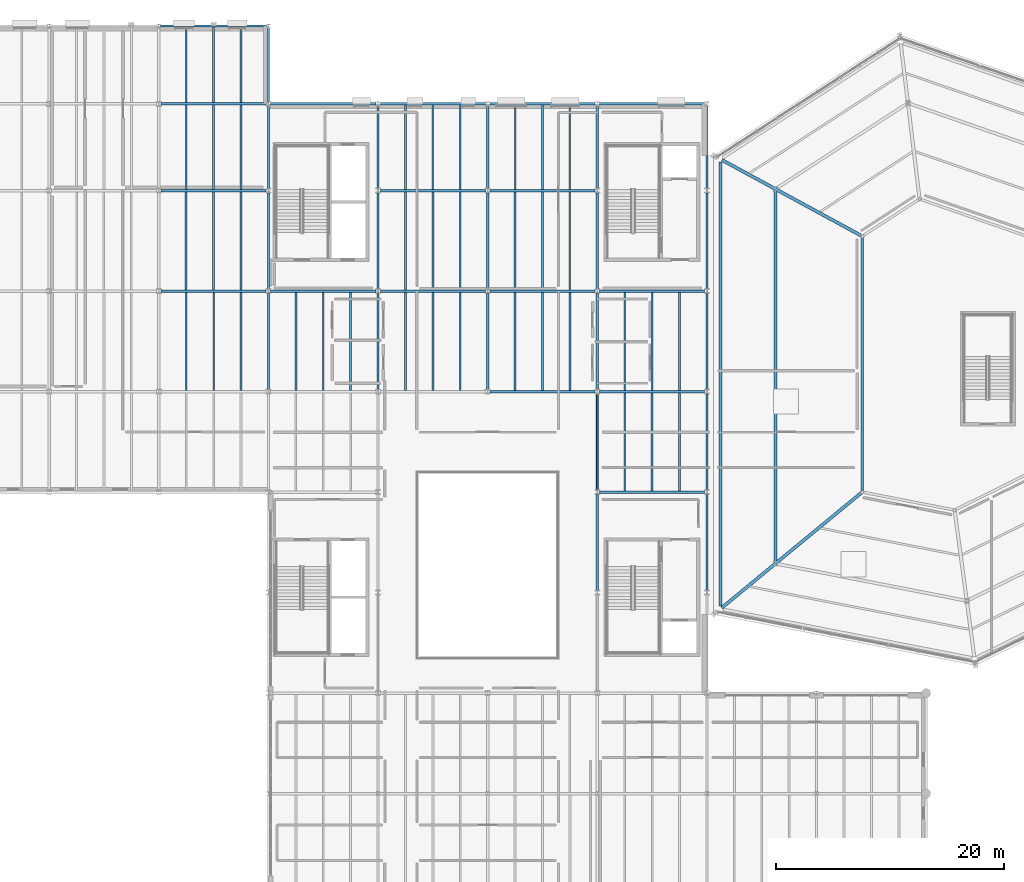
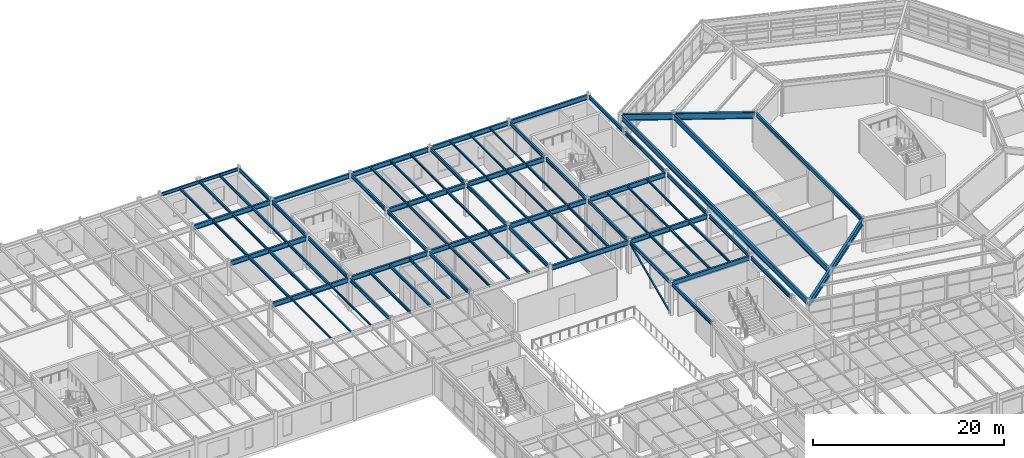
# One storey, part 41 of 88: 81 beams, 1 member.
"""IFC4 building model written with IfcOpenShell, lengths in metres."""

from ifc_helpers import new_model, si_unit, direction, frame, origin, origin_2d, place, context, subcontext, project, spatial, hollow_rectangle, i_section, extrude, material, material_profile, profile_set, type_object, element, save


model = new_model("IFC4")

# Units and contexts
model_context = context("Model", 3, precision=1e-05, world=origin(), true_north=direction((0.0, 1.0)))
body_context = subcontext(model_context, "Body", "Model", "MODEL_VIEW")
ifc_project = project(units=[si_unit("LENGTHUNIT", "METRE"), si_unit("AREAUNIT", "SQUARE_METRE"), si_unit("VOLUMEUNIT", "CUBIC_METRE"), si_unit("PLANEANGLEUNIT", "RADIAN"), si_unit("MASSUNIT", "GRAM", prefix="KILO")], contexts=[model_context])

# Site, building, storey
site_placement = place(None, origin())
site = spatial("IfcSite", under=ifc_project, at=site_placement, CompositionType="ELEMENT")
building_placement = place(site_placement, origin())
building = spatial("IfcBuilding", under=site, at=building_placement, Name="Sarnbrook Museum", CompositionType="ELEMENT")
storey_placement = place(building_placement, frame((0.0, 0.0, 10.10009765625)))
storey = spatial("IfcBuildingStorey", under=building, at=storey_placement, Name="L02", CompositionType="ELEMENT", Elevation=10.10009765625)

# Beams
ifc_material_1 = material(Name="Structural Steel Grade 300PLUS (AS/NZS 3679.1, fy = 280 MPa for 17 < t <= 40 mm, 300 MPa for t <= 17 mm)", Category="steel")
ifc_material_profile_1 = material_profile(ifc_material_1, i_section(OverallWidth=0.18994140625, OverallDepth=0.45703125, WebThickness=0.009033203125, FlangeThickness=0.014404296875, FilletRadius=0.011474609375, at=origin_2d()), Name="460UB74.6")
ifc_profile_set_1 = profile_set([ifc_material_profile_1], Name="Structural Steel Grade 300PLUS (AS/NZS 3679.1, fy = 280 MPa for 17 < t <= 40 mm, 300 MPa for t <= 17 mm)")
beam_type_1 = type_object("IfcBeamType", Name="BM-UB460", PredefinedType="BEAM", material=ifc_profile_set_1)
for number, where, z_axis, x_axis, name in (
    (1, (80.800048828125, 83.39111328125, 3.9814453125), (0.0, 1.0, 0.0), (-1.0, 0.0, 0.0), "Girder 9:K-L L02"),
    (2, (80.800048828125, 92.19091796875, 3.9814453125), (0.0, 1.0, 0.0), (-1.0, 0.0, 0.0), "Girder 9:L-M L02"),
):
    element("IfcBeam", number, at=place(storey_placement, frame(where, z_axis=z_axis, x_axis=x_axis)), inside=storey, type_object=beam_type_1, Name=name, PredefinedType="BEAM", context=body_context, shape_type="SweptSolid", body=[
        extrude(i_section(OverallWidth=0.18994140625, OverallDepth=0.45703125, WebThickness=0.009033203125, FlangeThickness=0.014404296875, FilletRadius=0.011474609375, at=origin_2d()), origin(), (0.0, 0.0, 1.0), 8.41796875),
    ])
beam_1_placement = place(storey_placement, frame((80.800048828125, 100.990966796875, 3.9814453125), z_axis=(0.0, 1.0, 0.0), x_axis=(-1.0, 0.0, 0.0)))
element("IfcBeam", 3, at=beam_1_placement, inside=storey, type_object=beam_type_1, Name="Girder 9:M-N L02", PredefinedType="BEAM", context=body_context, shape_type="SweptSolid", body=[
    extrude(i_section(OverallWidth=0.18994140625, OverallDepth=0.45703125, WebThickness=0.009033203125, FlangeThickness=0.014404296875, FilletRadius=0.011474609375, at=origin_2d()), origin(), (0.0, 0.0, 1.0), 7.218017578125),
])
beam_2_placement = place(storey_placement, frame((80.800048828125, 108.591064453125, 3.9814453125), z_axis=(0.0, 1.0, 0.0), x_axis=(-1.0, 0.0, 0.0)))
element("IfcBeam", 4, at=beam_2_placement, inside=storey, type_object=beam_type_1, Name="Girder 9:N-P L02", PredefinedType="BEAM", context=body_context, shape_type="SweptSolid", body=[
    extrude(i_section(OverallWidth=0.18994140625, OverallDepth=0.45703125, WebThickness=0.009033203125, FlangeThickness=0.014404296875, FilletRadius=0.011474609375, at=origin_2d()), origin(), (0.0, 0.0, 1.0), 6.445556640625),
])
for number, where, z_axis, x_axis, name in (
    (5, (90.39990234375, 83.39111328125, 4.021484375), (0.0, 1.0, 0.0), (-1.0, 0.0, 0.0), "Girder 10:K-L L02"),
    (6, (90.39990234375, 92.19091796875, 4.021484375), (0.0, 1.0, 0.0), (-1.0, 0.0, 0.0), "Girder 10:L-M L02"),
):
    element("IfcBeam", number, at=place(storey_placement, frame(where, z_axis=z_axis, x_axis=x_axis)), inside=storey, type_object=beam_type_1, Name=name, PredefinedType="BEAM", context=body_context, shape_type="SweptSolid", body=[
        extrude(i_section(OverallWidth=0.18994140625, OverallDepth=0.45703125, WebThickness=0.009033203125, FlangeThickness=0.014404296875, FilletRadius=0.011474609375, at=origin_2d()), origin(), (0.0, 0.0, 1.0), 8.41796875),
    ])
beam_3_placement = place(storey_placement, frame((90.39990234375, 100.990966796875, 4.021484375), z_axis=(0.0, 1.0, 0.0), x_axis=(-1.0, 0.0, 0.0)))
element("IfcBeam", 7, at=beam_3_placement, inside=storey, type_object=beam_type_1, Name="Girder 10:M-N L02", PredefinedType="BEAM", context=body_context, shape_type="SweptSolid", body=[
    extrude(i_section(OverallWidth=0.18994140625, OverallDepth=0.45703125, WebThickness=0.009033203125, FlangeThickness=0.014404296875, FilletRadius=0.011474609375, at=origin_2d()), origin(), (0.0, 0.0, 1.0), 7.218017578125),
])
for number, where, z_axis, x_axis, name in (
    (8, (100.0, 83.39111328125, 4.021484375), (0.0, 1.0, 0.0), (-1.0, 0.0, 0.0), "Girder 11:K-L L02"),
    (9, (100.0, 92.19091796875, 4.021484375), (0.0, 1.0, 0.0), (-1.0, 0.0, 0.0), "Girder 11:L-M L02"),
):
    element("IfcBeam", number, at=place(storey_placement, frame(where, z_axis=z_axis, x_axis=x_axis)), inside=storey, type_object=beam_type_1, Name=name, PredefinedType="BEAM", context=body_context, shape_type="SweptSolid", body=[
        extrude(i_section(OverallWidth=0.18994140625, OverallDepth=0.45703125, WebThickness=0.009033203125, FlangeThickness=0.014404296875, FilletRadius=0.011474609375, at=origin_2d()), origin(), (0.0, 0.0, 1.0), 8.41796875),
    ])
beam_4_placement = place(storey_placement, frame((100.0, 100.990966796875, 4.021484375), z_axis=(0.0, 1.0, 0.0), x_axis=(-1.0, 0.0, 0.0)))
element("IfcBeam", 10, at=beam_4_placement, inside=storey, type_object=beam_type_1, Name="Girder 11:M-N L02", PredefinedType="BEAM", context=body_context, shape_type="SweptSolid", body=[
    extrude(i_section(OverallWidth=0.18994140625, OverallDepth=0.45703125, WebThickness=0.009033203125, FlangeThickness=0.014404296875, FilletRadius=0.011474609375, at=origin_2d()), origin(), (0.0, 0.0, 1.0), 7.218017578125),
])
for number, where, z_axis, x_axis, name in (
    (11, (109.60009765625, 65.791015625, 4.021484375), (0.0, 1.0, 0.0), (-1.0, 0.0, 0.0), "Girder 12:H-J L02"),
    (12, (109.60009765625, 74.591064453125, 4.021484375), (0.0, 1.0, 0.0), (-1.0, 0.0, 0.0), "Girder 12:J-K L02"),
    (13, (109.60009765625, 83.39111328125, 4.021484375), (0.0, 1.0, 0.0), (-1.0, 0.0, 0.0), "Girder 12:K-L L02"),
    (14, (109.60009765625, 92.19091796875, 4.021484375), (0.0, 1.0, 0.0), (-1.0, 0.0, 0.0), "Girder 12:L-M L02"),
):
    element("IfcBeam", number, at=place(storey_placement, frame(where, z_axis=z_axis, x_axis=x_axis)), inside=storey, type_object=beam_type_1, Name=name, PredefinedType="BEAM", context=body_context, shape_type="SweptSolid", body=[
        extrude(i_section(OverallWidth=0.18994140625, OverallDepth=0.45703125, WebThickness=0.009033203125, FlangeThickness=0.014404296875, FilletRadius=0.011474609375, at=origin_2d()), origin(), (0.0, 0.0, 1.0), 8.41796875),
    ])
beam_5_placement = place(storey_placement, frame((109.60009765625, 100.990966796875, 4.021484375), z_axis=(0.0, 1.0, 0.0), x_axis=(-1.0, 0.0, 0.0)))
element("IfcBeam", 15, at=beam_5_placement, inside=storey, type_object=beam_type_1, Name="Girder 12:M-N L02", PredefinedType="BEAM", context=body_context, shape_type="SweptSolid", body=[
    extrude(i_section(OverallWidth=0.18994140625, OverallDepth=0.45703125, WebThickness=0.009033203125, FlangeThickness=0.014404296875, FilletRadius=0.011474609375, at=origin_2d()), origin(), (0.0, 0.0, 1.0), 7.218017578125),
])
for number, where, z_axis, x_axis, name in (
    (16, (119.199951171875, 65.791015625, 4.021484375), (0.0, 1.0, 0.0), (-1.0, 0.0, 0.0), "Girder 13:H-J L02"),
    (17, (119.199951171875, 74.591064453125, 4.021484375), (0.0, 1.0, 0.0), (-1.0, 0.0, 0.0), "Girder 13:J-K L02"),
    (18, (119.199951171875, 83.39111328125, 4.021484375), (0.0, 1.0, 0.0), (-1.0, 0.0, 0.0), "Girder 13:K-L L02"),
    (19, (119.199951171875, 92.19091796875, 4.021484375), (0.0, 1.0, 0.0), (-1.0, 0.0, 0.0), "Girder 13:L-M L02"),
):
    element("IfcBeam", number, at=place(storey_placement, frame(where, z_axis=z_axis, x_axis=x_axis)), inside=storey, type_object=beam_type_1, Name=name, PredefinedType="BEAM", context=body_context, shape_type="SweptSolid", body=[
        extrude(i_section(OverallWidth=0.18994140625, OverallDepth=0.45703125, WebThickness=0.009033203125, FlangeThickness=0.014404296875, FilletRadius=0.011474609375, at=origin_2d()), origin(), (0.0, 0.0, 1.0), 8.41796875),
    ])
beam_6_placement = place(storey_placement, frame((119.199951171875, 100.990966796875, 4.021484375), z_axis=(0.0, 1.0, 0.0), x_axis=(-1.0, 0.0, 0.0)))
element("IfcBeam", 20, at=beam_6_placement, inside=storey, type_object=beam_type_1, Name="Girder 13:M-N L02", PredefinedType="BEAM", context=body_context, shape_type="SweptSolid", body=[
    extrude(i_section(OverallWidth=0.18994140625, OverallDepth=0.45703125, WebThickness=0.009033203125, FlangeThickness=0.014404296875, FilletRadius=0.011474609375, at=origin_2d()), origin(), (0.0, 0.0, 1.0), 7.218017578125),
])
ifc_material_profile_2 = material_profile(ifc_material_1, i_section(OverallWidth=0.208984375, OverallDepth=0.532958984375, WebThickness=0.01025390625, FlangeThickness=0.015625, FilletRadius=0.013916015625, at=origin_2d()), Name="530UB92.4")
ifc_profile_set_2 = profile_set([ifc_material_profile_2], Name="Structural Steel Grade 300PLUS (AS/NZS 3679.1, fy = 280 MPa for 17 < t <= 40 mm, 300 MPa for t <= 17 mm)")
beam_type_2 = type_object("IfcBeamType", Name="BM-UB530", PredefinedType="BEAM", material=ifc_profile_set_2)
beam_7_placement = place(storey_placement, frame((132.800048828125, 96.692138671875, 3.973388671875), z_axis=(0.0, -1.0, 0.0), x_axis=(1.0, 0.0, 0.0)))
element("IfcBeam", 21, at=beam_7_placement, inside=storey, type_object=beam_type_2, Name="Crystal Hall R2 Ring Girder 7 L02", PredefinedType="BEAM", context=body_context, shape_type="SweptSolid", body=[
    extrude(i_section(OverallWidth=0.208984375, OverallDepth=0.532958984375, WebThickness=0.01025390625, FlangeThickness=0.015625, FilletRadius=0.013916015625, at=origin_2d()), origin(), (0.0, 0.0, 1.0), 22.1669921875),
])
ifc_material_profile_3 = material_profile(ifc_material_1, i_section(OverallWidth=0.22802734375, OverallDepth=0.60693359375, WebThickness=0.01123046875, FlangeThickness=0.017333984375, FilletRadius=0.013916015625, at=origin_2d()), Name="610UB113")
ifc_profile_set_3 = profile_set([ifc_material_profile_3], Name="Structural Steel Grade 300PLUS (AS/NZS 3679.1, fy = 280 MPa for 17 < t <= 40 mm, 300 MPa for t <= 17 mm)")
beam_type_3 = type_object("IfcBeamType", Name="BM-UB610", PredefinedType="BEAM", material=ifc_profile_set_3)
for number, where, z_axis, x_axis, name in (
    (22, (109.800048828125, 74.39990234375, 3.9462890625), (1.0, 0.0, 0.0), (0.0, 1.0, 0.0), "Girder J:12-13 L02"),
    (23, (100.199951171875, 83.199951171875, 3.9462890625), (1.0, 0.0, 0.0), (0.0, 1.0, 0.0), "Girder K:11-12 L02"),
    (24, (109.800048828125, 83.199951171875, 3.9462890625), (1.0, 0.0, 0.0), (0.0, 1.0, 0.0), "Girder K:12-13 L02"),
):
    element("IfcBeam", number, at=place(storey_placement, frame(where, z_axis=z_axis, x_axis=x_axis)), inside=storey, type_object=beam_type_3, Name=name, PredefinedType="BEAM", context=body_context, shape_type="SweptSolid", body=[
        extrude(i_section(OverallWidth=0.22802734375, OverallDepth=0.60693359375, WebThickness=0.01123046875, FlangeThickness=0.017333984375, FilletRadius=0.013916015625, at=origin_2d()), origin(), (0.0, 0.0, 1.0), 9.199951171875),
    ])
beam_8_placement = place(storey_placement, frame((71.39990234375, 92.0, 3.906494140625), z_axis=(1.0, 0.0, 0.0), x_axis=(0.0, 1.0, 0.0)))
element("IfcBeam", 25, at=beam_8_placement, inside=storey, type_object=beam_type_3, Name="Girder L:8-9 L02", PredefinedType="BEAM", context=body_context, shape_type="SweptSolid", body=[
    extrude(i_section(OverallWidth=0.22802734375, OverallDepth=0.60693359375, WebThickness=0.01123046875, FlangeThickness=0.017333984375, FilletRadius=0.013916015625, at=origin_2d()), origin(), (0.0, 0.0, 1.0), 9.2001953125),
])
for number, where, z_axis, x_axis, name in (
    (26, (81.0, 92.0, 3.9462890625), (1.0, 0.0, 0.0), (0.0, 1.0, 0.0), "Girder L:9-10 L02"),
    (27, (90.60009765625, 92.0, 3.9462890625), (1.0, 0.0, 0.0), (0.0, 1.0, 0.0), "Girder L:10-11 L02"),
    (28, (100.199951171875, 92.0, 3.9462890625), (1.0, 0.0, 0.0), (0.0, 1.0, 0.0), "Girder L:11-12 L02"),
    (29, (109.800048828125, 92.0, 3.9462890625), (1.0, 0.0, 0.0), (0.0, 1.0, 0.0), "Girder L:12-13 L02"),
):
    element("IfcBeam", number, at=place(storey_placement, frame(where, z_axis=z_axis, x_axis=x_axis)), inside=storey, type_object=beam_type_3, Name=name, PredefinedType="BEAM", context=body_context, shape_type="SweptSolid", body=[
        extrude(i_section(OverallWidth=0.22802734375, OverallDepth=0.60693359375, WebThickness=0.01123046875, FlangeThickness=0.017333984375, FilletRadius=0.013916015625, at=origin_2d()), origin(), (0.0, 0.0, 1.0), 9.199951171875),
    ])
beam_9_placement = place(storey_placement, frame((71.39990234375, 100.800048828125, 3.906494140625), z_axis=(1.0, 0.0, 0.0), x_axis=(0.0, 1.0, 0.0)))
element("IfcBeam", 30, at=beam_9_placement, inside=storey, type_object=beam_type_3, Name="Girder M:8-9 L02", PredefinedType="BEAM", context=body_context, shape_type="SweptSolid", body=[
    extrude(i_section(OverallWidth=0.22802734375, OverallDepth=0.60693359375, WebThickness=0.01123046875, FlangeThickness=0.017333984375, FilletRadius=0.013916015625, at=origin_2d()), origin(), (0.0, 0.0, 1.0), 9.2001953125),
])
for number, where, z_axis, x_axis, name in (
    (31, (90.60009765625, 100.800048828125, 3.9462890625), (1.0, 0.0, 0.0), (0.0, 1.0, 0.0), "Girder M:10-11 L02"),
    (32, (100.199951171875, 100.800048828125, 3.9462890625), (1.0, 0.0, 0.0), (0.0, 1.0, 0.0), "Girder M:11-12 L02"),
):
    element("IfcBeam", number, at=place(storey_placement, frame(where, z_axis=z_axis, x_axis=x_axis)), inside=storey, type_object=beam_type_3, Name=name, PredefinedType="BEAM", context=body_context, shape_type="SweptSolid", body=[
        extrude(i_section(OverallWidth=0.22802734375, OverallDepth=0.60693359375, WebThickness=0.01123046875, FlangeThickness=0.017333984375, FilletRadius=0.013916015625, at=origin_2d()), origin(), (0.0, 0.0, 1.0), 9.199951171875),
    ])
beam_10_placement = place(storey_placement, frame((71.39990234375, 108.39990234375, 3.906494140625), z_axis=(1.0, 0.0, 0.0), x_axis=(0.0, 1.0, 0.0)))
element("IfcBeam", 33, at=beam_10_placement, inside=storey, type_object=beam_type_3, Name="Girder N:8-9 L02", PredefinedType="BEAM", context=body_context, shape_type="SweptSolid", body=[
    extrude(i_section(OverallWidth=0.22802734375, OverallDepth=0.60693359375, WebThickness=0.01123046875, FlangeThickness=0.017333984375, FilletRadius=0.013916015625, at=origin_2d()), origin(), (0.0, 0.0, 1.0), 9.2001953125),
])
for number, where, z_axis, x_axis, name in (
    (34, (81.0, 108.39990234375, 3.9462890625), (1.0, 0.0, 0.0), (0.0, 1.0, 0.0), "Girder N:9-10 L02"),
    (35, (90.60009765625, 108.39990234375, 3.9462890625), (1.0, 0.0, 0.0), (0.0, 1.0, 0.0), "Girder N:10-11 L02"),
    (36, (100.199951171875, 108.39990234375, 3.9462890625), (1.0, 0.0, 0.0), (0.0, 1.0, 0.0), "Girder N:11-12 L02"),
    (37, (109.800048828125, 108.39990234375, 3.9462890625), (1.0, 0.0, 0.0), (0.0, 1.0, 0.0), "Girder N:12-13 L02"),
):
    element("IfcBeam", number, at=place(storey_placement, frame(where, z_axis=z_axis, x_axis=x_axis)), inside=storey, type_object=beam_type_3, Name=name, PredefinedType="BEAM", context=body_context, shape_type="SweptSolid", body=[
        extrude(i_section(OverallWidth=0.22802734375, OverallDepth=0.60693359375, WebThickness=0.01123046875, FlangeThickness=0.017333984375, FilletRadius=0.013916015625, at=origin_2d()), origin(), (0.0, 0.0, 1.0), 9.199951171875),
    ])
ifc_material_2 = material(Name="Structural Steel Grade 350L0 (AS/NZS 3678, fy = 340 MPa for 20 < t <= 40 mm)", Category="steel")
ifc_material_profile_4 = material_profile(ifc_material_2, i_section(OverallWidth=0.25, OverallDepth=0.699951171875, WebThickness=0.010009765625, FlangeThickness=0.01611328125, at=origin_2d()), Name="700WB130")
ifc_profile_set_4 = profile_set([ifc_material_profile_4], Name="Structural Steel Grade 350L0 (AS/NZS 3678, fy = 340 MPa for 20 < t <= 40 mm)")
beam_type_4 = type_object("IfcBeamType", Name="BM-WB700", PredefinedType="BEAM", material=ifc_profile_set_4)
beam_11_placement = place(storey_placement, frame((120.385009765625, 103.306396484375, 3.889892578125), z_axis=(0.0, -1.0, 0.0), x_axis=(1.0, 0.0, 0.0)))
element("IfcBeam", 38, at=beam_11_placement, inside=storey, type_object=beam_type_4, Name="Crystal Hall Perimeter Ring Girder 7 L02", PredefinedType="BEAM", context=body_context, shape_type="SweptSolid", body=[
    extrude(i_section(OverallWidth=0.25, OverallDepth=0.699951171875, WebThickness=0.010009765625, FlangeThickness=0.01611328125, at=origin_2d()), origin(), (0.0, 0.0, 1.0), 38.880126953125),
])
beam_12_placement = place(storey_placement, frame((125.199951171875, 100.780517578125, 3.889892578125), z_axis=(0.0, -1.0, 0.0), x_axis=(1.0, 0.0, 0.0)))
element("IfcBeam", 39, at=beam_12_placement, inside=storey, type_object=beam_type_4, Name="Crystal Hall R1 Ring Girder 7 L02", PredefinedType="BEAM", context=body_context, shape_type="SweptSolid", body=[
    extrude(i_section(OverallWidth=0.25, OverallDepth=0.699951171875, WebThickness=0.010009765625, FlangeThickness=0.01611328125, at=origin_2d()), origin(), (0.0, 0.0, 1.0), 32.47705078125),
])
ifc_material_profile_5 = material_profile(ifc_material_2, i_section(OverallWidth=0.27490234375, OverallDepth=0.800048828125, WebThickness=0.010009765625, FlangeThickness=0.01611328125, at=origin_2d()), Name="800WB146")
ifc_profile_set_5 = profile_set([ifc_material_profile_5], Name="Structural Steel Grade 350L0 (AS/NZS 3678, fy = 340 MPa for 20 < t <= 40 mm)")
beam_type_5 = type_object("IfcBeamType", Name="CR-CANT", PredefinedType="BEAM", material=ifc_profile_set_5)
beam_13_placement = place(storey_placement, frame((132.70751953125, 74.328857421875, 3.83984375), z_axis=(-0.771783621012, -0.635885243057, 0.0), x_axis=(0.635885243057, -0.771783621012, 0.0)))
element("IfcBeam", 40, at=beam_13_placement, inside=storey, type_object=beam_type_5, Name="Crystal Hall Radial Cantilever Girder 1 L02", PredefinedType="BEAM", context=body_context, shape_type="SweptSolid", body=[
    extrude(i_section(OverallWidth=0.27490234375, OverallDepth=0.800048828125, WebThickness=0.010009765625, FlangeThickness=0.01611328125, at=origin_2d()), origin(), (0.0, 0.0, 1.0), 15.81640625),
])
beam_14_placement = place(storey_placement, frame((132.694580078125, 96.869384765625, 3.83984375), z_axis=(-0.878722342016, 0.477333264755, 0.0), x_axis=(-0.477333264755, -0.878722342016, 0.0)))
element("IfcBeam", 41, at=beam_14_placement, inside=storey, type_object=beam_type_5, Name="Crystal Hall Radial Cantilever Girder 7 L02", PredefinedType="BEAM", context=body_context, shape_type="SweptSolid", body=[
    extrude(i_section(OverallWidth=0.27490234375, OverallDepth=0.800048828125, WebThickness=0.010009765625, FlangeThickness=0.01611328125, at=origin_2d()), origin(), (0.0, 0.0, 1.0), 13.858642578125),
])
ifc_material_profile_6 = material_profile(ifc_material_1, i_section(OverallWidth=0.134033203125, OverallDepth=0.20703125, WebThickness=0.00634765625, FlangeThickness=0.009521484375, FilletRadius=0.0087890625, at=origin_2d()), Name="200UB29.8")
ifc_profile_set_6 = profile_set([ifc_material_profile_6], Name="Structural Steel Grade 300PLUS (AS/NZS 3679.1, fy = 280 MPa for 17 < t <= 40 mm, 300 MPa for t <= 17 mm)")
beam_type_6 = type_object("IfcBeamType", Name="JS-UB200", PredefinedType="JOIST", material=ifc_profile_set_6)
for number, where, z_axis, x_axis, name in (
    (42, (73.60009765625, 83.31396484375, 4.1064453125), (0.0, 1.0, 0.0), (-1.0, 0.0, 0.0), "Composite Floor Joist 8K-1 L02"),
    (43, (76.0, 83.31396484375, 4.1064453125), (0.0, 1.0, 0.0), (-1.0, 0.0, 0.0), "Composite Floor Joist 8K-2 L02"),
    (44, (78.39990234375, 83.31396484375, 4.1064453125), (0.0, 1.0, 0.0), (-1.0, 0.0, 0.0), "Composite Floor Joist 8K-3 L02"),
):
    element("IfcBeam", number, at=place(storey_placement, frame(where, z_axis=z_axis, x_axis=x_axis)), inside=storey, type_object=beam_type_6, Name=name, PredefinedType="JOIST", context=body_context, shape_type="SweptSolid", body=[
        extrude(i_section(OverallWidth=0.134033203125, OverallDepth=0.20703125, WebThickness=0.00634765625, FlangeThickness=0.009521484375, FilletRadius=0.0087890625, at=origin_2d()), origin(), (0.0, 0.0, 1.0), 8.572021484375),
    ])
for number, where, z_axis, x_axis, name in (
    (45, (102.39990234375, 100.9140625, 4.146484375), (0.0, 1.0, 0.0), (-1.0, 0.0, 0.0), "Composite Floor Joist 11M-1 L02"),
    (46, (104.800048828125, 100.9140625, 4.146484375), (0.0, 1.0, 0.0), (-1.0, 0.0, 0.0), "Composite Floor Joist 11M-2 L02"),
    (47, (107.199951171875, 100.9140625, 4.146484375), (0.0, 1.0, 0.0), (-1.0, 0.0, 0.0), "Composite Floor Joist 11M-3 L02"),
):
    element("IfcBeam", number, at=place(storey_placement, frame(where, z_axis=z_axis, x_axis=x_axis)), inside=storey, type_object=beam_type_6, Name=name, PredefinedType="JOIST", context=body_context, shape_type="SweptSolid", body=[
        extrude(i_section(OverallWidth=0.134033203125, OverallDepth=0.20703125, WebThickness=0.00634765625, FlangeThickness=0.009521484375, FilletRadius=0.0087890625, at=origin_2d()), origin(), (0.0, 0.0, 1.0), 7.371826171875),
    ])
ifc_material_profile_7 = material_profile(ifc_material_1, i_section(OverallWidth=0.14599609375, OverallDepth=0.256103515625, WebThickness=0.00634765625, FlangeThickness=0.010986328125, FilletRadius=0.0087890625, at=origin_2d()), Name="250UB37.3")
ifc_profile_set_7 = profile_set([ifc_material_profile_7], Name="Structural Steel Grade 300PLUS (AS/NZS 3679.1, fy = 280 MPa for 17 < t <= 40 mm, 300 MPa for t <= 17 mm)")
beam_type_7 = type_object("IfcBeamType", Name="JS-UB250", PredefinedType="JOIST", material=ifc_profile_set_7)
for number, where, z_axis, x_axis, name in (
    (48, (92.800048828125, 100.9140625, 4.121826171875), (0.0, 1.0, 0.0), (-1.0, 0.0, 0.0), "Composite Floor Joist 10M-1 L02"),
    (49, (95.199951171875, 100.9140625, 4.121826171875), (0.0, 1.0, 0.0), (-1.0, 0.0, 0.0), "Composite Floor Joist 10M-2 L02"),
    (50, (97.60009765625, 100.9140625, 4.121826171875), (0.0, 1.0, 0.0), (-1.0, 0.0, 0.0), "Composite Floor Joist 10M-3 L02"),
):
    element("IfcBeam", number, at=place(storey_placement, frame(where, z_axis=z_axis, x_axis=x_axis)), inside=storey, type_object=beam_type_7, Name=name, PredefinedType="JOIST", context=body_context, shape_type="SweptSolid", body=[
        extrude(i_section(OverallWidth=0.14599609375, OverallDepth=0.256103515625, WebThickness=0.00634765625, FlangeThickness=0.010986328125, FilletRadius=0.0087890625, at=origin_2d()), origin(), (0.0, 0.0, 1.0), 7.371826171875),
    ])
for number, where, z_axis, x_axis, name in (
    (51, (102.39990234375, 92.114013671875, 4.121826171875), (0.0, 1.0, 0.0), (-1.0, 0.0, 0.0), "Composite Floor Joist 11L-1 L02"),
    (52, (104.800048828125, 92.114013671875, 4.121826171875), (0.0, 1.0, 0.0), (-1.0, 0.0, 0.0), "Composite Floor Joist 11L-2 L02"),
    (53, (107.199951171875, 92.114013671875, 4.121826171875), (0.0, 1.0, 0.0), (-1.0, 0.0, 0.0), "Composite Floor Joist 11L-3 L02"),
    (54, (112.0, 83.31396484375, 4.121826171875), (0.0, 1.0, 0.0), (-1.0, 0.0, 0.0), "Composite Floor Joist 12K-1 L02"),
    (55, (114.39990234375, 83.31396484375, 4.121826171875), (0.0, 1.0, 0.0), (-1.0, 0.0, 0.0), "Composite Floor Joist 12K-2 L02"),
    (56, (116.800048828125, 83.31396484375, 4.121826171875), (0.0, 1.0, 0.0), (-1.0, 0.0, 0.0), "Composite Floor Joist 12K-3 L02"),
):
    element("IfcBeam", number, at=place(storey_placement, frame(where, z_axis=z_axis, x_axis=x_axis)), inside=storey, type_object=beam_type_7, Name=name, PredefinedType="JOIST", context=body_context, shape_type="SweptSolid", body=[
        extrude(i_section(OverallWidth=0.14599609375, OverallDepth=0.256103515625, WebThickness=0.00634765625, FlangeThickness=0.010986328125, FilletRadius=0.0087890625, at=origin_2d()), origin(), (0.0, 0.0, 1.0), 8.572021484375),
    ])
ifc_material_profile_8 = material_profile(ifc_material_1, i_section(OverallWidth=0.1650390625, OverallDepth=0.303955078125, WebThickness=0.006103515625, FlangeThickness=0.01025390625, FilletRadius=0.011474609375, at=origin_2d()), Name="310UB40.4")
ifc_profile_set_8 = profile_set([ifc_material_profile_8], Name="Structural Steel Grade 300PLUS (AS/NZS 3679.1, fy = 280 MPa for 17 < t <= 40 mm, 300 MPa for t <= 17 mm)")
beam_type_8 = type_object("IfcBeamType", Name="JS-UB310", PredefinedType="JOIST", material=ifc_profile_set_8)
for number, where, z_axis, x_axis, name in (
    (57, (73.60009765625, 108.513916015625, 4.057861328125), (0.0, 1.0, 0.0), (-1.0, 0.0, 0.0), "Composite Floor Joist 8N-1 L02"),
    (58, (76.0, 108.513916015625, 4.057861328125), (0.0, 1.0, 0.0), (-1.0, 0.0, 0.0), "Composite Floor Joist 8N-2 L02"),
    (59, (78.39990234375, 108.513916015625, 4.057861328125), (0.0, 1.0, 0.0), (-1.0, 0.0, 0.0), "Composite Floor Joist 8N-3 L02"),
):
    element("IfcBeam", number, at=place(storey_placement, frame(where, z_axis=z_axis, x_axis=x_axis)), inside=storey, type_object=beam_type_8, Name=name, PredefinedType="JOIST", context=body_context, shape_type="SweptSolid", body=[
        extrude(i_section(OverallWidth=0.1650390625, OverallDepth=0.303955078125, WebThickness=0.006103515625, FlangeThickness=0.01025390625, FilletRadius=0.011474609375, at=origin_2d()), origin(), (0.0, 0.0, 1.0), 6.59716796875),
    ])
for number, where, z_axis, x_axis, name in (
    (60, (92.800048828125, 92.114013671875, 4.097900390625), (0.0, 1.0, 0.0), (-1.0, 0.0, 0.0), "Composite Floor Joist 10L-1 L02"),
    (61, (95.199951171875, 92.114013671875, 4.097900390625), (0.0, 1.0, 0.0), (-1.0, 0.0, 0.0), "Composite Floor Joist 10L-2 L02"),
    (62, (97.60009765625, 92.114013671875, 4.097900390625), (0.0, 1.0, 0.0), (-1.0, 0.0, 0.0), "Composite Floor Joist 10L-3 L02"),
    (63, (102.39990234375, 83.31396484375, 4.097900390625), (0.0, 1.0, 0.0), (-1.0, 0.0, 0.0), "Composite Floor Joist 11K-1 L02"),
    (64, (104.800048828125, 83.31396484375, 4.097900390625), (0.0, 1.0, 0.0), (-1.0, 0.0, 0.0), "Composite Floor Joist 11K-2 L02"),
    (65, (107.199951171875, 83.31396484375, 4.097900390625), (0.0, 1.0, 0.0), (-1.0, 0.0, 0.0), "Composite Floor Joist 11K-3 L02"),
    (66, (112.0, 74.513916015625, 4.097900390625), (0.0, 1.0, 0.0), (-1.0, 0.0, 0.0), "Composite Floor Joist 12J-1 L02"),
    (67, (114.39990234375, 74.513916015625, 4.097900390625), (0.0, 1.0, 0.0), (-1.0, 0.0, 0.0), "Composite Floor Joist 12J-2 L02"),
    (68, (116.800048828125, 74.513916015625, 4.097900390625), (0.0, 1.0, 0.0), (-1.0, 0.0, 0.0), "Composite Floor Joist 12J-3 L02"),
):
    element("IfcBeam", number, at=place(storey_placement, frame(where, z_axis=z_axis, x_axis=x_axis)), inside=storey, type_object=beam_type_8, Name=name, PredefinedType="JOIST", context=body_context, shape_type="SweptSolid", body=[
        extrude(i_section(OverallWidth=0.1650390625, OverallDepth=0.303955078125, WebThickness=0.006103515625, FlangeThickness=0.01025390625, FilletRadius=0.011474609375, at=origin_2d()), origin(), (0.0, 0.0, 1.0), 8.572021484375),
    ])
ifc_material_profile_9 = material_profile(ifc_material_1, i_section(OverallWidth=0.166015625, OverallDepth=0.306884765625, WebThickness=0.006591796875, FlangeThickness=0.01171875, FilletRadius=0.011474609375, at=origin_2d()), Name="310UB46.2")
ifc_profile_set_9 = profile_set([ifc_material_profile_9], Name="Structural Steel Grade 300PLUS (AS/NZS 3679.1, fy = 280 MPa for 17 < t <= 40 mm, 300 MPa for t <= 17 mm)")
beam_type_9 = type_object("IfcBeamType", Name="JS-UB310H", PredefinedType="JOIST", material=ifc_profile_set_9)
for number, where, z_axis, x_axis, name in (
    (69, (73.60009765625, 100.9140625, 4.056396484375), (0.0, 1.0, 0.0), (-1.0, 0.0, 0.0), "Composite Floor Joist 8M-1 L02"),
    (70, (76.0, 100.9140625, 4.056396484375), (0.0, 1.0, 0.0), (-1.0, 0.0, 0.0), "Composite Floor Joist 8M-2 L02"),
    (71, (78.39990234375, 100.9140625, 4.056396484375), (0.0, 1.0, 0.0), (-1.0, 0.0, 0.0), "Composite Floor Joist 8M-3 L02"),
):
    element("IfcBeam", number, at=place(storey_placement, frame(where, z_axis=z_axis, x_axis=x_axis)), inside=storey, type_object=beam_type_9, Name=name, PredefinedType="JOIST", context=body_context, shape_type="SweptSolid", body=[
        extrude(i_section(OverallWidth=0.166015625, OverallDepth=0.306884765625, WebThickness=0.006591796875, FlangeThickness=0.01171875, FilletRadius=0.011474609375, at=origin_2d()), origin(), (0.0, 0.0, 1.0), 7.371826171875),
    ])
for number, where, z_axis, x_axis, name in (
    (72, (92.800048828125, 83.31396484375, 4.096435546875), (0.0, 1.0, 0.0), (-1.0, 0.0, 0.0), "Composite Floor Joist 10K-1 L02"),
    (73, (95.199951171875, 83.31396484375, 4.096435546875), (0.0, 1.0, 0.0), (-1.0, 0.0, 0.0), "Composite Floor Joist 10K-2 L02"),
    (74, (97.60009765625, 83.31396484375, 4.096435546875), (0.0, 1.0, 0.0), (-1.0, 0.0, 0.0), "Composite Floor Joist 10K-3 L02"),
):
    element("IfcBeam", number, at=place(storey_placement, frame(where, z_axis=z_axis, x_axis=x_axis)), inside=storey, type_object=beam_type_9, Name=name, PredefinedType="JOIST", context=body_context, shape_type="SweptSolid", body=[
        extrude(i_section(OverallWidth=0.166015625, OverallDepth=0.306884765625, WebThickness=0.006591796875, FlangeThickness=0.01171875, FilletRadius=0.011474609375, at=origin_2d()), origin(), (0.0, 0.0, 1.0), 8.572021484375),
    ])
ifc_material_profile_10 = material_profile(ifc_material_1, i_section(OverallWidth=0.1708984375, OverallDepth=0.35595703125, WebThickness=0.00732421875, FlangeThickness=0.011474609375, FilletRadius=0.011474609375, at=origin_2d()), Name="360UB50.7")
ifc_profile_set_10 = profile_set([ifc_material_profile_10], Name="Structural Steel Grade 300PLUS (AS/NZS 3679.1, fy = 280 MPa for 17 < t <= 40 mm, 300 MPa for t <= 17 mm)")
beam_type_10 = type_object("IfcBeamType", Name="JS-UB360", PredefinedType="JOIST", material=ifc_profile_set_10)
for number, where, z_axis, x_axis, name in (
    (75, (73.60009765625, 92.114013671875, 4.031982421875), (0.0, 1.0, 0.0), (-1.0, 0.0, 0.0), "Composite Floor Joist 8L-1 L02"),
    (76, (76.0, 92.114013671875, 4.031982421875), (0.0, 1.0, 0.0), (-1.0, 0.0, 0.0), "Composite Floor Joist 8L-2 L02"),
    (77, (78.39990234375, 92.114013671875, 4.031982421875), (0.0, 1.0, 0.0), (-1.0, 0.0, 0.0), "Composite Floor Joist 8L-3 L02"),
    (78, (83.199951171875, 83.31396484375, 4.072021484375), (0.0, 1.0, 0.0), (-1.0, 0.0, 0.0), "Composite Floor Joist 9K-1 L02"),
    (79, (85.60009765625, 83.31396484375, 4.072021484375), (0.0, 1.0, 0.0), (-1.0, 0.0, 0.0), "Composite Floor Joist 9K-2 L02"),
    (80, (88.0, 83.31396484375, 4.072021484375), (0.0, 1.0, 0.0), (-1.0, 0.0, 0.0), "Composite Floor Joist 9K-3 L02"),
):
    element("IfcBeam", number, at=place(storey_placement, frame(where, z_axis=z_axis, x_axis=x_axis)), inside=storey, type_object=beam_type_10, Name=name, PredefinedType="JOIST", context=body_context, shape_type="SweptSolid", body=[
        extrude(i_section(OverallWidth=0.1708984375, OverallDepth=0.35595703125, WebThickness=0.00732421875, FlangeThickness=0.011474609375, FilletRadius=0.011474609375, at=origin_2d()), origin(), (0.0, 0.0, 1.0), 8.572021484375),
    ])

# Member
ifc_material_3 = material(Name="Structural Steel Hollow Section Grade C350L0 (AS/NZS 1163, fy = 350 MPa)", Category="steel")
ifc_material_profile_11 = material_profile(ifc_material_3, hollow_rectangle(XDim=0.14990234375, YDim=0.14990234375, WallThickness=0.009033203125, at=origin_2d()), Name="150x150x9.0SHS")
ifc_profile_set_11 = profile_set([ifc_material_profile_11], Name="Structural Steel Hollow Section Grade C350L0 (AS/NZS 1163, fy = 350 MPa)")
member_type = type_object("IfcMemberType", Name="MB-SHS150", PredefinedType="BRACE", material=ifc_profile_set_11)
member_placement = place(storey_placement, frame((109.60009765625, 74.580078125, 0.119873046875), z_axis=(0.0, 0.914658395799, 0.404227682124), x_axis=(-1.0, 0.0, 0.0)))
element("IfcMember", 81, at=member_placement, inside=storey, type_object=member_type, Name="Lateral Diagonal Brace CBF-4 L02", PredefinedType="BRACE", context=body_context, shape_type="SweptSolid", body=[
    extrude(hollow_rectangle(XDim=0.14990234375, YDim=0.14990234375, WallThickness=0.009033203125, at=origin_2d()), origin(), (0.0, 0.0, 1.0), 9.2275390625),
])

# Beam
ifc_material_profile_12 = material_profile(ifc_material_1, i_section(OverallWidth=0.177978515625, OverallDepth=0.406005859375, WebThickness=0.0078125, FlangeThickness=0.0126953125, FilletRadius=0.011474609375, at=origin_2d()), Name="410UB59.7")
ifc_profile_set_12 = profile_set([ifc_material_profile_12], Name="Structural Steel Grade 300PLUS (AS/NZS 3679.1, fy = 280 MPa for 17 < t <= 40 mm, 300 MPa for t <= 17 mm)")
beam_type_11 = type_object("IfcBeamType", Name="SP-UB410", PredefinedType="SPANDREL", material=ifc_profile_set_12)
beam_15_placement = place(storey_placement, frame((71.35546875, 115.199951171875, 4.0068359375), z_axis=(1.0, 0.0, 0.0), x_axis=(0.0, 1.0, 0.0)))
element("IfcBeam", 82, at=beam_15_placement, inside=storey, type_object=beam_type_11, Name="Girder P:8-9 L02", PredefinedType="SPANDREL", context=body_context, shape_type="SweptSolid", body=[
    extrude(i_section(OverallWidth=0.177978515625, OverallDepth=0.406005859375, WebThickness=0.0078125, FlangeThickness=0.0126953125, FilletRadius=0.011474609375, at=origin_2d()), origin(), (0.0, 0.0, 1.0), 9.2890625),
])

save(model, "model.ifc")
